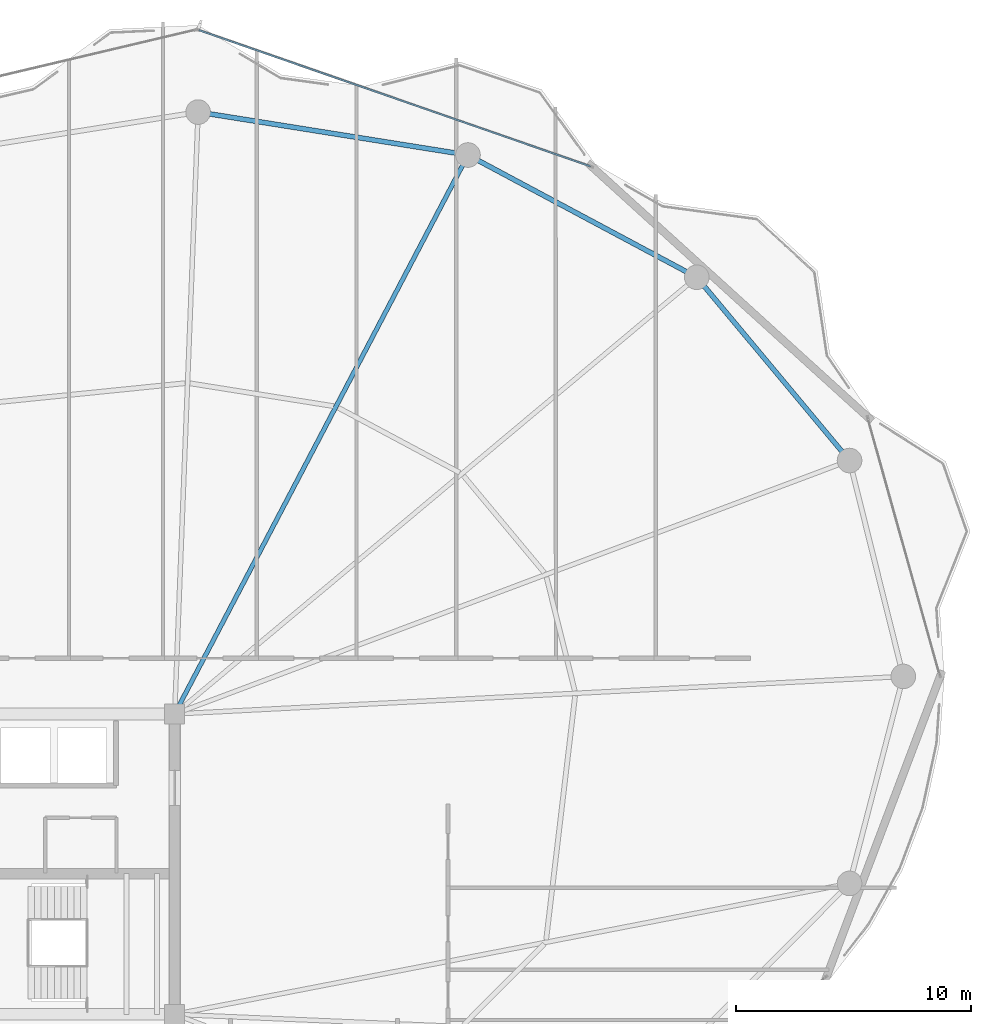
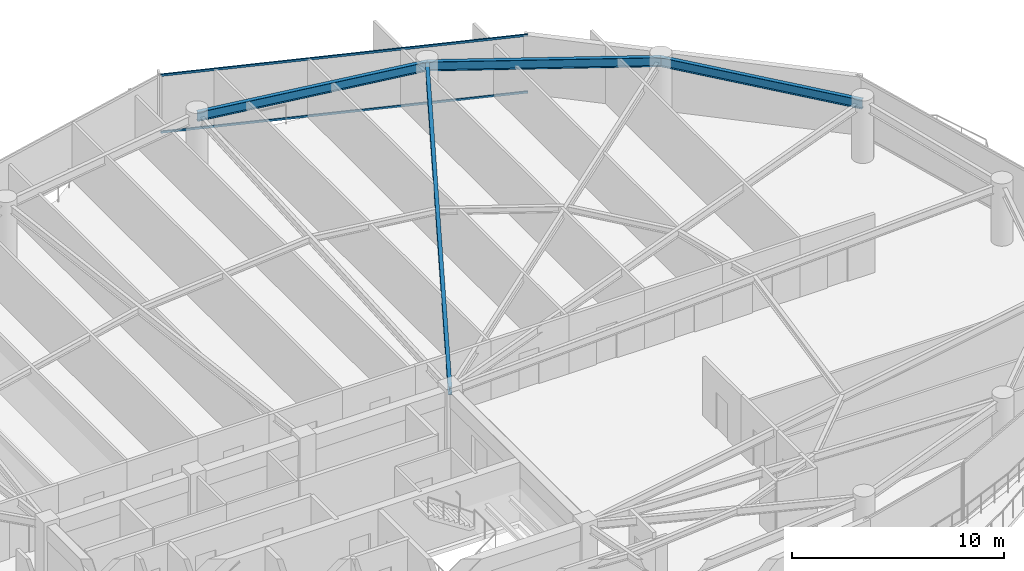
# One storey, part 20 of 29: 4 beams, 2 members, 1 element without a shape of its own.
"""IFC4 building model written with IfcOpenShell, lengths in metres."""

from ifc_helpers import new_model, si_unit, direction, frame, origin, origin_2d, place, context, subcontext, project, spatial, hollow_rectangle, i_section, extrude, material, layer, layer_set, material_profile, profile_set, type_object, element, aggregate, save


model = new_model("IFC4")

# Units and contexts
model_context = context("Model", 3, precision=1e-05, world=origin(), true_north=direction((0.0, 1.0)))
body_context = subcontext(model_context, "Body", "Model", "MODEL_VIEW")
ifc_project = project(units=[si_unit("LENGTHUNIT", "METRE"), si_unit("AREAUNIT", "SQUARE_METRE"), si_unit("VOLUMEUNIT", "CUBIC_METRE"), si_unit("PLANEANGLEUNIT", "RADIAN"), si_unit("MASSUNIT", "GRAM", prefix="KILO")], contexts=[model_context])

# Site, building, storey
site_placement = place(None, origin())
site = spatial("IfcSite", under=ifc_project, at=site_placement, CompositionType="ELEMENT")
building_placement = place(site_placement, origin())
building = spatial("IfcBuilding", under=site, at=building_placement, Name="Kazevale Care Tower and Concert Hall", CompositionType="ELEMENT")
storey_placement = place(building_placement, frame((0.0, 0.0, 195.60009765625)))
storey = spatial("IfcBuildingStorey", under=building, at=storey_placement, Name="L51", CompositionType="ELEMENT", Elevation=195.60009765625)

# Curtain wall, members
ifc_material_1 = material(Name="Aluminium 6063-T6 and Low-E Glass", Category="aluminium")
ifc_layer = layer(ifc_material_1, 0.179931640625)
ifc_layer_set = layer_set([ifc_layer], Name="Aluminium 6063-T6 and Low-E Glass")
curtain_wall_type = type_object("IfcCurtainWallType", Name="Convex Checkerboard Finned Curtain Wall CW-2", PredefinedType="NOTDEFINED", material=ifc_layer_set)
curtain_wall_placement = place(storey_placement, origin())
curtain_wall = element("IfcCurtainWall", 1, at=curtain_wall_placement, inside=storey, type_object=curtain_wall_type, Name="cw:L51:f16", PredefinedType="NOTDEFINED")
ifc_material_2 = material(Name="Aluminium 6063-T6", Category="aluminium")
ifc_material_profile_1 = material_profile(ifc_material_2, hollow_rectangle(XDim=0.074951171875, YDim=0.1201171875, WallThickness=0.00390625, at=origin_2d()), Name="ALU75x120x4")
ifc_profile_set_1 = profile_set([ifc_material_profile_1], Name="Aluminium 6063-T6")
member_type = type_object("IfcMemberType", Name="CW-2 Transom ALU75x120x4", PredefinedType="USERDEFINED", material=ifc_profile_set_1)
member_1_placement = place(storey_placement, frame((45.029541015625, 65.541748046875, 0.037353515625), z_axis=(0.944475733242, -0.328581176146, 0.0), x_axis=(0.328581176146, 0.944475733242, 0.0)))
member_1 = element("IfcMember", 2, at=member_1_placement, type_object=member_type, Name="CW-2 transom 1.1", ObjectType="TRANSOM", PredefinedType="USERDEFINED", context=body_context, shape_type="SweptSolid", body=[
    extrude(hollow_rectangle(XDim=0.074951171875, YDim=0.1201171875, WallThickness=0.00390625, at=origin_2d()), origin(), (0.0, 0.0, 1.0), 17.671142578125),
])
member_2_placement = place(storey_placement, frame((45.029541015625, 65.541748046875, 3.322509765625), z_axis=(0.944475733242, -0.328581176146, 0.0), x_axis=(0.328581176146, 0.944475733242, 0.0)))
member_2 = element("IfcMember", 3, at=member_2_placement, type_object=member_type, Name="CW-2 transom 1.2", ObjectType="TRANSOM", PredefinedType="USERDEFINED", context=body_context, shape_type="SweptSolid", body=[
    extrude(hollow_rectangle(XDim=0.074951171875, YDim=0.1201171875, WallThickness=0.00390625, at=origin_2d()), origin(), (0.0, 0.0, 1.0), 17.671142578125),
])
aggregate(curtain_wall, [member_1, member_2])

# Beams
ifc_material_3 = material(Name="Steel ASTM A572 Gr 50", Category="steel")
ifc_material_profile_2 = material_profile(ifc_material_3, i_section(OverallWidth=0.19091796875, OverallDepth=0.4599609375, WebThickness=0.010009765625, FlangeThickness=0.01611328125, at=origin_2d()), Name="W460x82")
ifc_profile_set_2 = profile_set([ifc_material_profile_2], Name="Steel ASTM A572 Gr 50")
beam_type_1 = type_object("IfcBeamType", Name="Radial Floor Beam W460x82", PredefinedType="BEAM", material=ifc_profile_set_2)
beam_1_placement = place(storey_placement, frame((44.0, 36.39990234375, 3.1298828125), z_axis=(0.464672566396, 0.885482583702, 0.0), x_axis=(-0.885482583702, 0.464672566396, 0.0)))
element("IfcBeam", 4, at=beam_1_placement, inside=storey, type_object=beam_type_1, Name="beam:L51:rad:04", PredefinedType="BEAM", context=body_context, shape_type="SweptSolid", body=[
    extrude(i_section(OverallWidth=0.19091796875, OverallDepth=0.4599609375, WebThickness=0.010009765625, FlangeThickness=0.01611328125, at=origin_2d()), origin(), (0.0, 0.0, 1.0), 26.900634765625),
])
ifc_material_profile_3 = material_profile(ifc_material_3, i_section(OverallWidth=0.208984375, OverallDepth=0.532958984375, WebThickness=0.01025390625, FlangeThickness=0.015625, at=origin_2d()), Name="W530x92")
ifc_profile_set_3 = profile_set([ifc_material_profile_3], Name="Steel ASTM A572 Gr 50")
beam_type_2 = type_object("IfcBeamType", Name="Upper Ring Beam W530x92", PredefinedType="BEAM", material=ifc_profile_set_3)
beam_2_placement = place(storey_placement, frame((72.760009765625, 47.199951171875, 3.093505859375), z_axis=(-0.640278868102, 0.768142546056, 0.0), x_axis=(-0.768142546056, -0.640278868102, 0.0)))
element("IfcBeam", 5, at=beam_2_placement, inside=storey, type_object=beam_type_2, Name="beam:L51:ring:02", PredefinedType="BEAM", context=body_context, shape_type="SweptSolid", body=[
    extrude(i_section(OverallWidth=0.208984375, OverallDepth=0.532958984375, WebThickness=0.01025390625, FlangeThickness=0.015625, at=origin_2d()), origin(), (0.0, 0.0, 1.0), 10.16748046875),
])
beam_3_placement = place(storey_placement, frame((66.25, 55.010009765625, 3.093505859375), z_axis=(-0.881978519833, 0.471289603697, 0.0), x_axis=(-0.471289603697, -0.881978519833, 0.0)))
element("IfcBeam", 6, at=beam_3_placement, inside=storey, type_object=beam_type_2, Name="beam:L51:ring:03", PredefinedType="BEAM", context=body_context, shape_type="SweptSolid", body=[
    extrude(i_section(OverallWidth=0.208984375, OverallDepth=0.532958984375, WebThickness=0.01025390625, FlangeThickness=0.015625, at=origin_2d()), origin(), (0.0, 0.0, 1.0), 11.0546875),
])
beam_4_placement = place(storey_placement, frame((56.5, 60.219970703125, 3.093505859375), z_axis=(-0.987573207584, 0.15715966296, 0.0), x_axis=(-0.15715966296, -0.987573207584, 0.0)))
element("IfcBeam", 7, at=beam_4_placement, inside=storey, type_object=beam_type_2, Name="beam:L51:ring:04", PredefinedType="BEAM", context=body_context, shape_type="SweptSolid", body=[
    extrude(i_section(OverallWidth=0.208984375, OverallDepth=0.532958984375, WebThickness=0.01025390625, FlangeThickness=0.015625, at=origin_2d()), origin(), (0.0, 0.0, 1.0), 11.644775390625),
])

save(model, "model.ifc")
